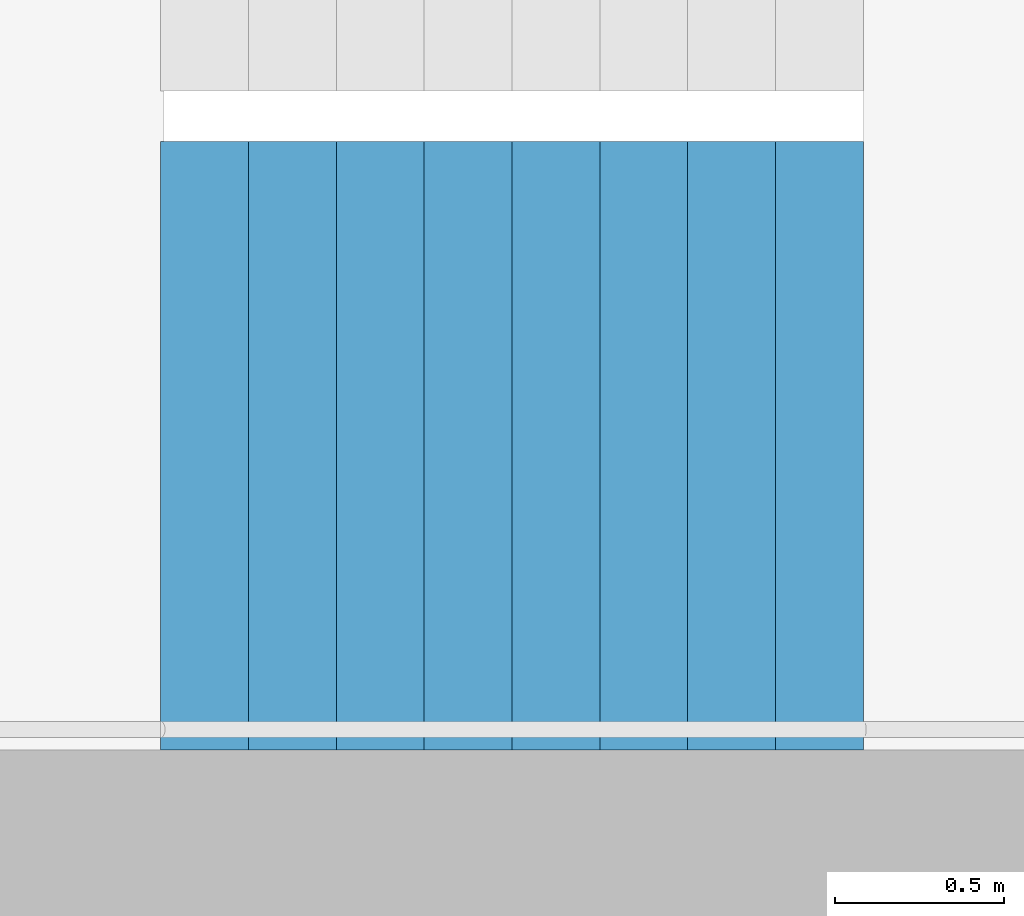
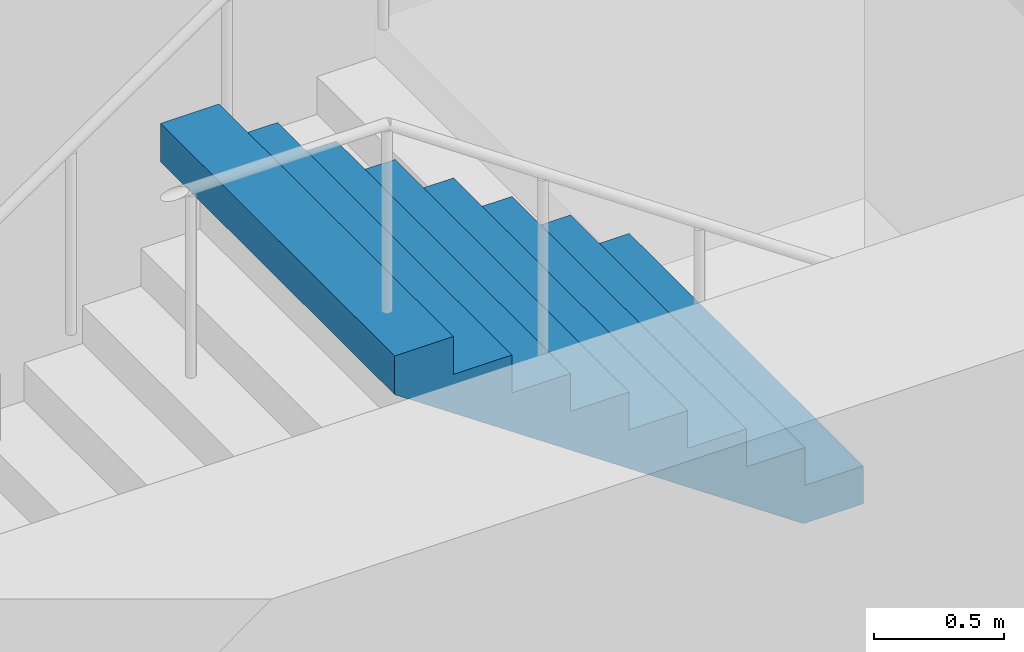
# One storey, part 25 of 29: 1 stair flight, 1 element without a shape of its own.
"""IFC4 building model written with IfcOpenShell, lengths in metres."""

from ifc_helpers import new_model, si_unit, direction, frame, origin, place, context, subcontext, project, spatial, triangles, material, type_object, element, aggregate, save


model = new_model("IFC4")

# Units and contexts
model_context = context("Model", 3, precision=1e-05, world=origin(), true_north=direction((0.0, 1.0)))
body_context = subcontext(model_context, "Body", "Model", "MODEL_VIEW")
ifc_project = project(units=[si_unit("LENGTHUNIT", "METRE"), si_unit("AREAUNIT", "SQUARE_METRE"), si_unit("VOLUMEUNIT", "CUBIC_METRE"), si_unit("PLANEANGLEUNIT", "RADIAN"), si_unit("MASSUNIT", "GRAM", prefix="KILO")], contexts=[model_context])

# Site, building, storey
site_placement = place(None, origin())
site = spatial("IfcSite", under=ifc_project, at=site_placement, CompositionType="ELEMENT")
building_placement = place(site_placement, origin())
building = spatial("IfcBuilding", under=site, at=building_placement, Name="Hakoniwa Tower and Hamabe Station Hall", CompositionType="ELEMENT")
storey_placement = place(building_placement, frame((0.0, 0.0, 88.199951171875)))
storey = spatial("IfcBuildingStorey", under=building, at=storey_placement, Name="L24", CompositionType="ELEMENT", Elevation=88.199951171875)

# Stair, stair flight
ifc_material_1 = material(Name="Concrete C40", Category="concrete")
stair_type = type_object("IfcStairType", Name="ESCAPE STAIR 1800", PredefinedType="HALF_TURN_STAIR", material=ifc_material_1)
stair_placement = place(storey_placement, origin())
stair = element("IfcStair", 1, at=stair_placement, inside=storey, type_object=stair_type, Name="Escape stair ST-4 L24", PredefinedType="HALF_TURN_STAIR")
ifc_material_2 = material(Name="Concrete C40", Category="concrete")
stair_flight_type = type_object("IfcStairFlightType", Name="STAIR FLIGHT 1800", PredefinedType="STRAIGHT", material=ifc_material_2)
stair_flight_placement = place(storey_placement, frame((25.47998046875, -6.60009765625, 1.60009765625), z_axis=(0.0, 0.0, 1.0), x_axis=(-1.0, 0.0, 0.0)))
stair_flight = element("IfcStairFlight", 2, at=stair_flight_placement, type_object=stair_flight_type, Name="ST-4 flight 2", NumberOfRisers=9, NumberOfTreads=8, PredefinedType="STRAIGHT", RiserHeight=0.177777778, TreadLength=0.26, context=body_context, shape_type="Tessellation", body=[
    triangles([(0.0, 0.89990234375, 0.0), (0.260009765625, 0.89990234375, 0.0), (0.265625, 0.89990234375, 0.0), (0.52001953125, 0.89990234375, 0.174072265625), (0.780029296875, 0.89990234375, 0.351806640625), (1.0400390625, 0.89990234375, 0.529541015625), (1.300048828125, 0.89990234375, 0.707275390625), (1.56005859375, 0.89990234375, 0.885009765625), (1.820068359375, 0.89990234375, 1.062744140625), (2.080078125, 0.89990234375, 1.24072265625), (2.080078125, 0.89990234375, 1.422119140625), (1.820068359375, 0.89990234375, 1.422119140625), (1.820068359375, 0.89990234375, 1.244384765625), (1.56005859375, 0.89990234375, 1.244384765625), (1.56005859375, 0.89990234375, 1.066650390625), (1.300048828125, 0.89990234375, 1.066650390625), (1.300048828125, 0.89990234375, 0.888916015625), (1.0400390625, 0.89990234375, 0.888916015625), (1.0400390625, 0.89990234375, 0.711181640625), (0.780029296875, 0.89990234375, 0.711181640625), (0.780029296875, 0.89990234375, 0.533447265625), (0.52001953125, 0.89990234375, 0.533447265625), (0.52001953125, 0.89990234375, 0.35546875), (0.265625, 0.89990234375, 0.35546875), (0.260009765625, 0.89990234375, 0.35546875), (0.260009765625, 0.89990234375, 0.177734375), (0.0, 0.89990234375, 0.177734375), (0.0, 0.06005859375, 0.0), (0.260009765625, 0.06005859375, 0.0), (0.265625, 0.06005859375, 0.0), (0.52001953125, 0.06005859375, 0.174072265625), (0.780029296875, 0.06005859375, 0.351806640625), (1.0400390625, 0.06005859375, 0.529541015625), (1.300048828125, 0.06005859375, 0.707275390625), (1.56005859375, 0.06005859375, 0.885009765625), (1.820068359375, 0.06005859375, 1.062744140625), (2.080078125, 0.06005859375, 1.24072265625), (2.080078125, 0.06005859375, 1.422119140625), (1.820068359375, 0.06005859375, 1.422119140625), (1.820068359375, 0.06005859375, 1.244384765625), (1.56005859375, 0.06005859375, 1.244384765625), (1.56005859375, 0.06005859375, 1.066650390625), (1.300048828125, 0.06005859375, 1.066650390625), (1.300048828125, 0.06005859375, 0.888916015625), (1.0400390625, 0.06005859375, 0.888916015625), (1.0400390625, 0.06005859375, 0.711181640625), (0.780029296875, 0.06005859375, 0.711181640625), (0.780029296875, 0.06005859375, 0.533447265625), (0.52001953125, 0.06005859375, 0.533447265625), (0.52001953125, 0.06005859375, 0.35546875), (0.265625, 0.06005859375, 0.35546875), (0.260009765625, 0.06005859375, 0.35546875), (0.260009765625, 0.06005859375, 0.177734375), (0.0, 0.06005859375, 0.177734375), (0.0, 0.04296875, 0.0), (0.260009765625, 0.04296875, 0.0), (0.265625, 0.04296875, 0.0), (0.52001953125, 0.04296875, 0.174072265625), (0.780029296875, 0.04296875, 0.351806640625), (1.0400390625, 0.04296875, 0.529541015625), (1.300048828125, 0.04296875, 0.707275390625), (1.56005859375, 0.04296875, 0.885009765625), (1.820068359375, 0.04296875, 1.062744140625), (2.080078125, 0.04296875, 1.24072265625), (2.080078125, 0.04296875, 1.422119140625), (1.820068359375, 0.04296875, 1.422119140625), (1.820068359375, 0.04296875, 1.244384765625), (1.56005859375, 0.04296875, 1.244384765625), (1.56005859375, 0.04296875, 1.066650390625), (1.300048828125, 0.04296875, 1.066650390625), (1.300048828125, 0.04296875, 0.888916015625), (1.0400390625, 0.04296875, 0.888916015625), (1.0400390625, 0.04296875, 0.711181640625), (0.780029296875, 0.04296875, 0.711181640625), (0.780029296875, 0.04296875, 0.533447265625), (0.52001953125, 0.04296875, 0.533447265625), (0.52001953125, 0.04296875, 0.35546875), (0.265625, 0.04296875, 0.35546875), (0.260009765625, 0.04296875, 0.35546875), (0.260009765625, 0.04296875, 0.177734375), (0.0, 0.04296875, 0.177734375), (0.0, 0.025634765625, 0.0), (0.260009765625, 0.025634765625, 0.0), (0.265625, 0.025634765625, 0.0), (0.52001953125, 0.025634765625, 0.174072265625), (0.780029296875, 0.025634765625, 0.351806640625), (1.0400390625, 0.025634765625, 0.529541015625), (1.300048828125, 0.025634765625, 0.707275390625), (1.56005859375, 0.025634765625, 0.885009765625), (1.820068359375, 0.025634765625, 1.062744140625), (2.080078125, 0.025634765625, 1.24072265625), (2.080078125, 0.025634765625, 1.422119140625), (1.820068359375, 0.025634765625, 1.422119140625), (1.820068359375, 0.025634765625, 1.244384765625), (1.56005859375, 0.025634765625, 1.244384765625), (1.56005859375, 0.025634765625, 1.066650390625), (1.300048828125, 0.025634765625, 1.066650390625), (1.300048828125, 0.025634765625, 0.888916015625), (1.0400390625, 0.025634765625, 0.888916015625), (1.0400390625, 0.025634765625, 0.711181640625), (0.780029296875, 0.025634765625, 0.711181640625), (0.780029296875, 0.025634765625, 0.533447265625), (0.52001953125, 0.025634765625, 0.533447265625), (0.52001953125, 0.025634765625, 0.35546875), (0.265625, 0.025634765625, 0.35546875), (0.260009765625, 0.025634765625, 0.35546875), (0.260009765625, 0.025634765625, 0.177734375), (0.0, 0.025634765625, 0.177734375), (0.0, 0.008544921875, 0.0), (0.260009765625, 0.008544921875, 0.0), (0.265625, 0.008544921875, 0.0), (0.52001953125, 0.008544921875, 0.174072265625), (0.780029296875, 0.008544921875, 0.351806640625), (1.0400390625, 0.008544921875, 0.529541015625), (1.300048828125, 0.008544921875, 0.707275390625), (1.56005859375, 0.008544921875, 0.885009765625), (1.820068359375, 0.008544921875, 1.062744140625), (2.080078125, 0.008544921875, 1.24072265625), (2.080078125, 0.008544921875, 1.422119140625), (1.820068359375, 0.008544921875, 1.422119140625), (1.820068359375, 0.008544921875, 1.244384765625), (1.56005859375, 0.008544921875, 1.244384765625), (1.56005859375, 0.008544921875, 1.066650390625), (1.300048828125, 0.008544921875, 1.066650390625), (1.300048828125, 0.008544921875, 0.888916015625), (1.0400390625, 0.008544921875, 0.888916015625), (1.0400390625, 0.008544921875, 0.711181640625), (0.780029296875, 0.008544921875, 0.711181640625), (0.780029296875, 0.008544921875, 0.533447265625), (0.52001953125, 0.008544921875, 0.533447265625), (0.52001953125, 0.008544921875, 0.35546875), (0.265625, 0.008544921875, 0.35546875), (0.260009765625, 0.008544921875, 0.35546875), (0.260009765625, 0.008544921875, 0.177734375), (0.0, 0.008544921875, 0.177734375), (0.0, -0.008544921875, 0.0), (0.260009765625, -0.008544921875, 0.0), (0.265625, -0.008544921875, 0.0), (0.52001953125, -0.008544921875, 0.174072265625), (0.780029296875, -0.008544921875, 0.351806640625), (1.0400390625, -0.008544921875, 0.529541015625), (1.300048828125, -0.008544921875, 0.707275390625), (1.56005859375, -0.008544921875, 0.885009765625), (1.820068359375, -0.008544921875, 1.062744140625), (2.080078125, -0.008544921875, 1.24072265625), (2.080078125, -0.008544921875, 1.422119140625), (1.820068359375, -0.008544921875, 1.422119140625), (1.820068359375, -0.008544921875, 1.244384765625), (1.56005859375, -0.008544921875, 1.244384765625), (1.56005859375, -0.008544921875, 1.066650390625), (1.300048828125, -0.008544921875, 1.066650390625), (1.300048828125, -0.008544921875, 0.888916015625), (1.0400390625, -0.008544921875, 0.888916015625), (1.0400390625, -0.008544921875, 0.711181640625), (0.780029296875, -0.008544921875, 0.711181640625), (0.780029296875, -0.008544921875, 0.533447265625), (0.52001953125, -0.008544921875, 0.533447265625), (0.52001953125, -0.008544921875, 0.35546875), (0.265625, -0.008544921875, 0.35546875), (0.260009765625, -0.008544921875, 0.35546875), (0.260009765625, -0.008544921875, 0.177734375), (0.0, -0.008544921875, 0.177734375), (0.0, -0.025634765625, 0.0), (0.260009765625, -0.025634765625, 0.0), (0.265625, -0.025634765625, 0.0), (0.52001953125, -0.025634765625, 0.174072265625), (0.780029296875, -0.025634765625, 0.351806640625), (1.0400390625, -0.025634765625, 0.529541015625), (1.300048828125, -0.025634765625, 0.707275390625), (1.56005859375, -0.025634765625, 0.885009765625), (1.820068359375, -0.025634765625, 1.062744140625), (2.080078125, -0.025634765625, 1.24072265625), (2.080078125, -0.025634765625, 1.422119140625), (1.820068359375, -0.025634765625, 1.422119140625), (1.820068359375, -0.025634765625, 1.244384765625), (1.56005859375, -0.025634765625, 1.244384765625), (1.56005859375, -0.025634765625, 1.066650390625), (1.300048828125, -0.025634765625, 1.066650390625), (1.300048828125, -0.025634765625, 0.888916015625), (1.0400390625, -0.025634765625, 0.888916015625), (1.0400390625, -0.025634765625, 0.711181640625), (0.780029296875, -0.025634765625, 0.711181640625), (0.780029296875, -0.025634765625, 0.533447265625), (0.52001953125, -0.025634765625, 0.533447265625), (0.52001953125, -0.025634765625, 0.35546875), (0.265625, -0.025634765625, 0.35546875), (0.260009765625, -0.025634765625, 0.35546875), (0.260009765625, -0.025634765625, 0.177734375), (0.0, -0.025634765625, 0.177734375), (0.0, -0.04296875, 0.0), (0.260009765625, -0.04296875, 0.0), (0.265625, -0.04296875, 0.0), (0.52001953125, -0.04296875, 0.174072265625), (0.780029296875, -0.04296875, 0.351806640625), (1.0400390625, -0.04296875, 0.529541015625), (1.300048828125, -0.04296875, 0.707275390625), (1.56005859375, -0.04296875, 0.885009765625), (1.820068359375, -0.04296875, 1.062744140625), (2.080078125, -0.04296875, 1.24072265625), (2.080078125, -0.04296875, 1.422119140625), (1.820068359375, -0.04296875, 1.422119140625), (1.820068359375, -0.04296875, 1.244384765625), (1.56005859375, -0.04296875, 1.244384765625), (1.56005859375, -0.04296875, 1.066650390625), (1.300048828125, -0.04296875, 1.066650390625), (1.300048828125, -0.04296875, 0.888916015625), (1.0400390625, -0.04296875, 0.888916015625), (1.0400390625, -0.04296875, 0.711181640625), (0.780029296875, -0.04296875, 0.711181640625), (0.780029296875, -0.04296875, 0.533447265625), (0.52001953125, -0.04296875, 0.533447265625), (0.52001953125, -0.04296875, 0.35546875), (0.265625, -0.04296875, 0.35546875), (0.260009765625, -0.04296875, 0.35546875), (0.260009765625, -0.04296875, 0.177734375), (0.0, -0.04296875, 0.177734375), (0.0, -0.06005859375, 0.0), (0.260009765625, -0.06005859375, 0.0), (0.265625, -0.06005859375, 0.0), (0.52001953125, -0.06005859375, 0.174072265625), (0.780029296875, -0.06005859375, 0.351806640625), (1.0400390625, -0.06005859375, 0.529541015625), (1.300048828125, -0.06005859375, 0.707275390625), (1.56005859375, -0.06005859375, 0.885009765625), (1.820068359375, -0.06005859375, 1.062744140625), (2.080078125, -0.06005859375, 1.24072265625), (2.080078125, -0.06005859375, 1.422119140625), (1.820068359375, -0.06005859375, 1.422119140625), (1.820068359375, -0.06005859375, 1.244384765625), (1.56005859375, -0.06005859375, 1.244384765625), (1.56005859375, -0.06005859375, 1.066650390625), (1.300048828125, -0.06005859375, 1.066650390625), (1.300048828125, -0.06005859375, 0.888916015625), (1.0400390625, -0.06005859375, 0.888916015625), (1.0400390625, -0.06005859375, 0.711181640625), (0.780029296875, -0.06005859375, 0.711181640625), (0.780029296875, -0.06005859375, 0.533447265625), (0.52001953125, -0.06005859375, 0.533447265625), (0.52001953125, -0.06005859375, 0.35546875), (0.265625, -0.06005859375, 0.35546875), (0.260009765625, -0.06005859375, 0.35546875), (0.260009765625, -0.06005859375, 0.177734375), (0.0, -0.06005859375, 0.177734375), (0.0, -0.89990234375, 0.0), (0.260009765625, -0.89990234375, 0.0), (0.265625, -0.89990234375, 0.0), (0.52001953125, -0.89990234375, 0.174072265625), (0.780029296875, -0.89990234375, 0.351806640625), (1.0400390625, -0.89990234375, 0.529541015625), (1.300048828125, -0.89990234375, 0.707275390625), (1.56005859375, -0.89990234375, 0.885009765625), (1.820068359375, -0.89990234375, 1.062744140625), (2.080078125, -0.89990234375, 1.24072265625), (2.080078125, -0.89990234375, 1.422119140625), (1.820068359375, -0.89990234375, 1.422119140625), (1.820068359375, -0.89990234375, 1.244384765625), (1.56005859375, -0.89990234375, 1.244384765625), (1.56005859375, -0.89990234375, 1.066650390625), (1.300048828125, -0.89990234375, 1.066650390625), (1.300048828125, -0.89990234375, 0.888916015625), (1.0400390625, -0.89990234375, 0.888916015625), (1.0400390625, -0.89990234375, 0.711181640625), (0.780029296875, -0.89990234375, 0.711181640625), (0.780029296875, -0.89990234375, 0.533447265625), (0.52001953125, -0.89990234375, 0.533447265625), (0.52001953125, -0.89990234375, 0.35546875), (0.265625, -0.89990234375, 0.35546875), (0.260009765625, -0.89990234375, 0.35546875), (0.260009765625, -0.89990234375, 0.177734375), (0.0, -0.89990234375, 0.177734375)], [[2, 27, 26], [245, 269, 270], [2, 1, 27], [245, 270, 244], [3, 25, 24], [246, 267, 268], [3, 26, 25], [246, 268, 269], [3, 2, 26], [246, 269, 245], [4, 24, 23], [247, 266, 267], [4, 3, 24], [247, 267, 246], [5, 22, 21], [248, 264, 265], [5, 23, 22], [248, 265, 266], [5, 4, 23], [248, 266, 247], [6, 20, 19], [249, 262, 263], [6, 21, 20], [249, 263, 264], [6, 5, 21], [249, 264, 248], [7, 18, 17], [250, 260, 261], [7, 19, 18], [250, 261, 262], [7, 6, 19], [250, 262, 249], [8, 16, 15], [251, 258, 259], [8, 17, 16], [251, 259, 260], [8, 7, 17], [251, 260, 250], [9, 14, 13], [252, 256, 257], [9, 15, 14], [252, 257, 258], [9, 8, 15], [252, 258, 251], [10, 12, 11], [253, 254, 255], [10, 13, 12], [253, 255, 256], [10, 9, 13], [253, 256, 252], [1, 2, 29], [1, 29, 28], [28, 29, 56], [28, 56, 55], [55, 56, 83], [55, 83, 82], [82, 83, 110], [82, 110, 109], [109, 110, 137], [109, 137, 136], [136, 137, 164], [136, 164, 163], [163, 164, 191], [163, 191, 190], [190, 191, 218], [190, 218, 217], [217, 218, 245], [217, 245, 244], [2, 3, 30], [2, 30, 29], [29, 30, 57], [29, 57, 56], [56, 57, 84], [56, 84, 83], [83, 84, 111], [83, 111, 110], [110, 111, 138], [110, 138, 137], [137, 138, 165], [137, 165, 164], [164, 165, 192], [164, 192, 191], [191, 192, 219], [191, 219, 218], [218, 219, 246], [218, 246, 245], [3, 4, 31], [3, 31, 30], [30, 31, 58], [30, 58, 57], [57, 58, 85], [57, 85, 84], [84, 85, 112], [84, 112, 111], [111, 112, 139], [111, 139, 138], [138, 139, 166], [138, 166, 165], [165, 166, 193], [165, 193, 192], [192, 193, 220], [192, 220, 219], [219, 220, 247], [219, 247, 246], [4, 5, 32], [4, 32, 31], [31, 32, 59], [31, 59, 58], [58, 59, 86], [58, 86, 85], [85, 86, 113], [85, 113, 112], [112, 113, 140], [112, 140, 139], [139, 140, 167], [139, 167, 166], [166, 167, 194], [166, 194, 193], [193, 194, 221], [193, 221, 220], [220, 221, 248], [220, 248, 247], [5, 6, 33], [5, 33, 32], [32, 33, 60], [32, 60, 59], [59, 60, 87], [59, 87, 86], [86, 87, 114], [86, 114, 113], [113, 114, 141], [113, 141, 140], [140, 141, 168], [140, 168, 167], [167, 168, 195], [167, 195, 194], [194, 195, 222], [194, 222, 221], [221, 222, 249], [221, 249, 248], [6, 7, 34], [6, 34, 33], [33, 34, 61], [33, 61, 60], [60, 61, 88], [60, 88, 87], [87, 88, 115], [87, 115, 114], [114, 115, 142], [114, 142, 141], [141, 142, 169], [141, 169, 168], [168, 169, 196], [168, 196, 195], [195, 196, 223], [195, 223, 222], [222, 223, 250], [222, 250, 249], [7, 8, 35], [7, 35, 34], [34, 35, 62], [34, 62, 61], [61, 62, 89], [61, 89, 88], [88, 89, 116], [88, 116, 115], [115, 116, 143], [115, 143, 142], [142, 143, 170], [142, 170, 169], [169, 170, 197], [169, 197, 196], [196, 197, 224], [196, 224, 223], [223, 224, 251], [223, 251, 250], [8, 9, 36], [8, 36, 35], [35, 36, 63], [35, 63, 62], [62, 63, 90], [62, 90, 89], [89, 90, 117], [89, 117, 116], [116, 117, 144], [116, 144, 143], [143, 144, 171], [143, 171, 170], [170, 171, 198], [170, 198, 197], [197, 198, 225], [197, 225, 224], [224, 225, 252], [224, 252, 251], [9, 10, 37], [9, 37, 36], [36, 37, 64], [36, 64, 63], [63, 64, 91], [63, 91, 90], [90, 91, 118], [90, 118, 117], [117, 118, 145], [117, 145, 144], [144, 145, 172], [144, 172, 171], [171, 172, 199], [171, 199, 198], [198, 199, 226], [198, 226, 225], [225, 226, 253], [225, 253, 252], [10, 11, 38], [10, 38, 37], [37, 38, 65], [37, 65, 64], [64, 65, 92], [64, 92, 91], [91, 92, 119], [91, 119, 118], [118, 119, 146], [118, 146, 145], [145, 146, 173], [145, 173, 172], [172, 173, 200], [172, 200, 199], [199, 200, 227], [199, 227, 226], [226, 227, 254], [226, 254, 253], [11, 12, 39], [11, 39, 38], [38, 39, 66], [38, 66, 65], [65, 66, 93], [65, 93, 92], [92, 93, 120], [92, 120, 119], [119, 120, 147], [119, 147, 146], [146, 147, 174], [146, 174, 173], [173, 174, 201], [173, 201, 200], [200, 201, 228], [200, 228, 227], [227, 228, 255], [227, 255, 254], [12, 13, 40], [12, 40, 39], [39, 40, 67], [39, 67, 66], [66, 67, 94], [66, 94, 93], [93, 94, 121], [93, 121, 120], [120, 121, 148], [120, 148, 147], [147, 148, 175], [147, 175, 174], [174, 175, 202], [174, 202, 201], [201, 202, 229], [201, 229, 228], [228, 229, 256], [228, 256, 255], [13, 14, 41], [13, 41, 40], [40, 41, 68], [40, 68, 67], [67, 68, 95], [67, 95, 94], [94, 95, 122], [94, 122, 121], [121, 122, 149], [121, 149, 148], [148, 149, 176], [148, 176, 175], [175, 176, 203], [175, 203, 202], [202, 203, 230], [202, 230, 229], [229, 230, 257], [229, 257, 256], [14, 15, 42], [14, 42, 41], [41, 42, 69], [41, 69, 68], [68, 69, 96], [68, 96, 95], [95, 96, 123], [95, 123, 122], [122, 123, 150], [122, 150, 149], [149, 150, 177], [149, 177, 176], [176, 177, 204], [176, 204, 203], [203, 204, 231], [203, 231, 230], [230, 231, 258], [230, 258, 257], [15, 16, 43], [15, 43, 42], [42, 43, 70], [42, 70, 69], [69, 70, 97], [69, 97, 96], [96, 97, 124], [96, 124, 123], [123, 124, 151], [123, 151, 150], [150, 151, 178], [150, 178, 177], [177, 178, 205], [177, 205, 204], [204, 205, 232], [204, 232, 231], [231, 232, 259], [231, 259, 258], [16, 17, 44], [16, 44, 43], [43, 44, 71], [43, 71, 70], [70, 71, 98], [70, 98, 97], [97, 98, 125], [97, 125, 124], [124, 125, 152], [124, 152, 151], [151, 152, 179], [151, 179, 178], [178, 179, 206], [178, 206, 205], [205, 206, 233], [205, 233, 232], [232, 233, 260], [232, 260, 259], [17, 18, 45], [17, 45, 44], [44, 45, 72], [44, 72, 71], [71, 72, 99], [71, 99, 98], [98, 99, 126], [98, 126, 125], [125, 126, 153], [125, 153, 152], [152, 153, 180], [152, 180, 179], [179, 180, 207], [179, 207, 206], [206, 207, 234], [206, 234, 233], [233, 234, 261], [233, 261, 260], [18, 19, 46], [18, 46, 45], [45, 46, 73], [45, 73, 72], [72, 73, 100], [72, 100, 99], [99, 100, 127], [99, 127, 126], [126, 127, 154], [126, 154, 153], [153, 154, 181], [153, 181, 180], [180, 181, 208], [180, 208, 207], [207, 208, 235], [207, 235, 234], [234, 235, 262], [234, 262, 261], [19, 20, 47], [19, 47, 46], [46, 47, 74], [46, 74, 73], [73, 74, 101], [73, 101, 100], [100, 101, 128], [100, 128, 127], [127, 128, 155], [127, 155, 154], [154, 155, 182], [154, 182, 181], [181, 182, 209], [181, 209, 208], [208, 209, 236], [208, 236, 235], [235, 236, 263], [235, 263, 262], [20, 21, 48], [20, 48, 47], [47, 48, 75], [47, 75, 74], [74, 75, 102], [74, 102, 101], [101, 102, 129], [101, 129, 128], [128, 129, 156], [128, 156, 155], [155, 156, 183], [155, 183, 182], [182, 183, 210], [182, 210, 209], [209, 210, 237], [209, 237, 236], [236, 237, 264], [236, 264, 263], [21, 22, 49], [21, 49, 48], [48, 49, 76], [48, 76, 75], [75, 76, 103], [75, 103, 102], [102, 103, 130], [102, 130, 129], [129, 130, 157], [129, 157, 156], [156, 157, 184], [156, 184, 183], [183, 184, 211], [183, 211, 210], [210, 211, 238], [210, 238, 237], [237, 238, 265], [237, 265, 264], [22, 23, 50], [22, 50, 49], [49, 50, 77], [49, 77, 76], [76, 77, 104], [76, 104, 103], [103, 104, 131], [103, 131, 130], [130, 131, 158], [130, 158, 157], [157, 158, 185], [157, 185, 184], [184, 185, 212], [184, 212, 211], [211, 212, 239], [211, 239, 238], [238, 239, 266], [238, 266, 265], [23, 24, 51], [23, 51, 50], [50, 51, 78], [50, 78, 77], [77, 78, 105], [77, 105, 104], [104, 105, 132], [104, 132, 131], [131, 132, 159], [131, 159, 158], [158, 159, 186], [158, 186, 185], [185, 186, 213], [185, 213, 212], [212, 213, 240], [212, 240, 239], [239, 240, 267], [239, 267, 266], [24, 25, 52], [24, 52, 51], [51, 52, 79], [51, 79, 78], [78, 79, 106], [78, 106, 105], [105, 106, 133], [105, 133, 132], [132, 133, 160], [132, 160, 159], [159, 160, 187], [159, 187, 186], [186, 187, 214], [186, 214, 213], [213, 214, 241], [213, 241, 240], [240, 241, 268], [240, 268, 267], [25, 26, 53], [25, 53, 52], [52, 53, 80], [52, 80, 79], [79, 80, 107], [79, 107, 106], [106, 107, 134], [106, 134, 133], [133, 134, 161], [133, 161, 160], [160, 161, 188], [160, 188, 187], [187, 188, 215], [187, 215, 214], [214, 215, 242], [214, 242, 241], [241, 242, 269], [241, 269, 268], [26, 27, 54], [26, 54, 53], [53, 54, 81], [53, 81, 80], [80, 81, 108], [80, 108, 107], [107, 108, 135], [107, 135, 134], [134, 135, 162], [134, 162, 161], [161, 162, 189], [161, 189, 188], [188, 189, 216], [188, 216, 215], [215, 216, 243], [215, 243, 242], [242, 243, 270], [242, 270, 269], [27, 1, 28], [27, 28, 54], [54, 28, 55], [54, 55, 81], [81, 55, 82], [81, 82, 108], [108, 82, 109], [108, 109, 135], [135, 109, 136], [135, 136, 162], [162, 136, 163], [162, 163, 189], [189, 163, 190], [189, 190, 216], [216, 190, 217], [216, 217, 243], [243, 217, 244], [243, 244, 270]], closed=True),
])
aggregate(stair, [stair_flight])

save(model, "model.ifc")
